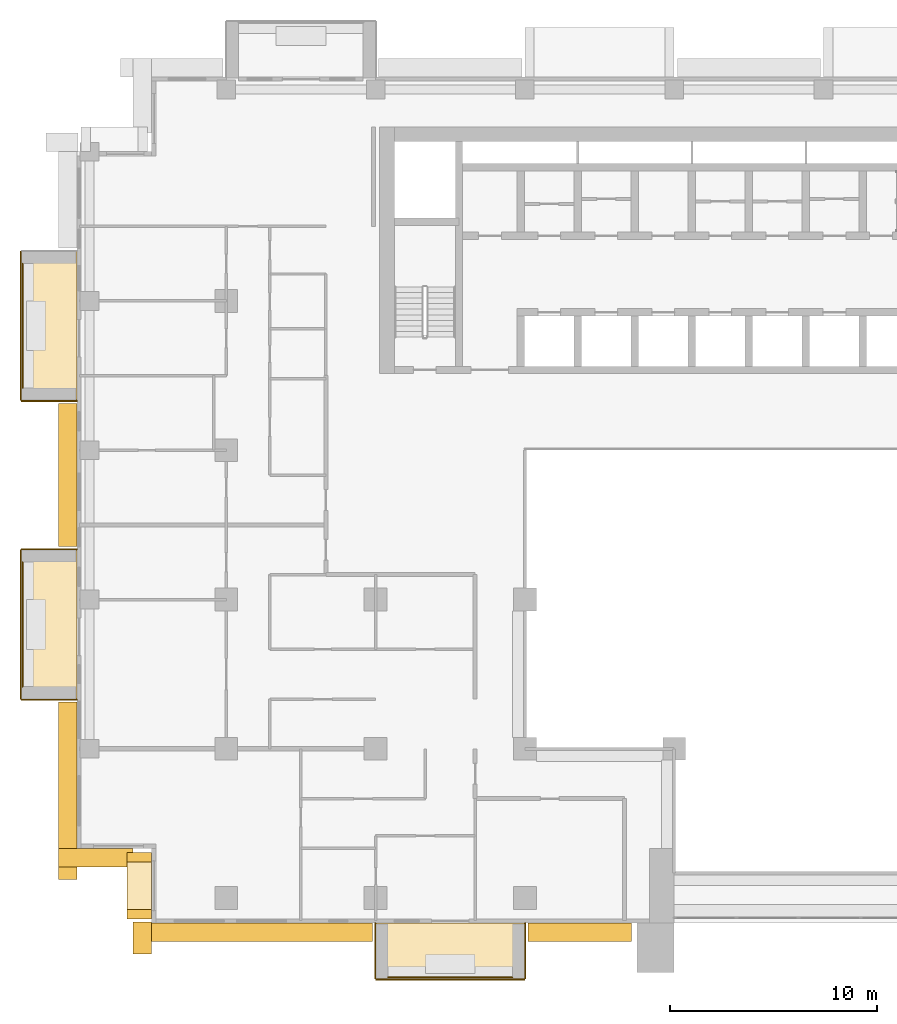
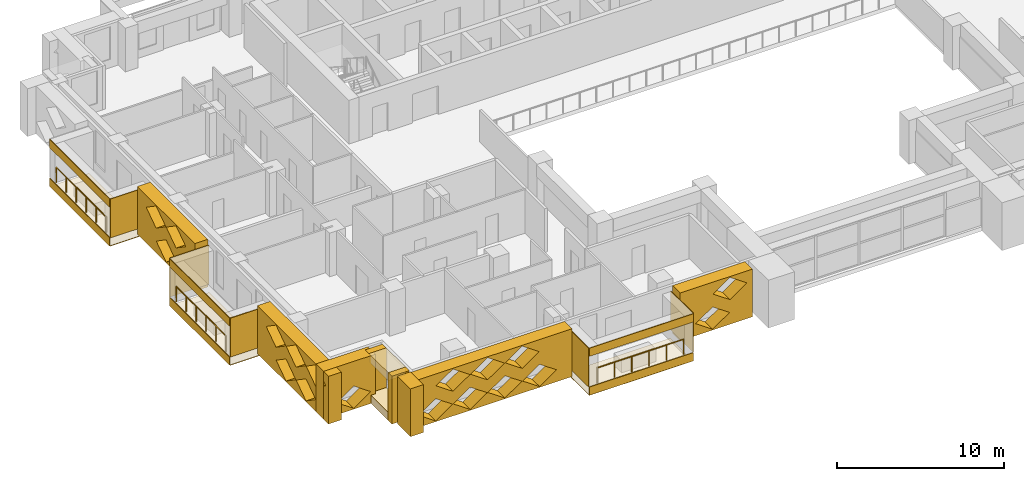
# One storey, part 14 of 20: 24 coverings, 3 railings.
"""IFC4 building model written with IfcOpenShell, lengths in metres."""

from ifc_helpers import new_model, si_unit, direction, frame, origin, origin_2d, place, context, subcontext, project, spatial, polyline, circle, outline, extrude, material, layer, layer_set, type_object, element, save


model = new_model("IFC4")

# Units and contexts
model_context = context("Model", 3, precision=1e-05, world=origin(), true_north=direction((0.0, 1.0)))
body_context = subcontext(model_context, "Body", "Model", "MODEL_VIEW")
ifc_project = project(units=[si_unit("LENGTHUNIT", "METRE"), si_unit("AREAUNIT", "SQUARE_METRE"), si_unit("VOLUMEUNIT", "CUBIC_METRE"), si_unit("PLANEANGLEUNIT", "RADIAN"), si_unit("MASSUNIT", "GRAM", prefix="KILO")], contexts=[model_context])

# Site, building, storey
site_placement = place(None, origin())
site = spatial("IfcSite", under=ifc_project, at=site_placement, CompositionType="ELEMENT")
building_placement = place(site_placement, origin())
building = spatial("IfcBuilding", under=site, at=building_placement, Name="Saffron Iwan Residences", CompositionType="ELEMENT")
storey_placement = place(building_placement, frame((0.0, 0.0, 127.0)))
storey = spatial("IfcBuildingStorey", under=building, at=storey_placement, Name="L33", CompositionType="ELEMENT", Elevation=127.0)

# Railings
ifc_material_1 = material(Name="Stainless steel 316", Category="steel")
railing_type = type_object("IfcRailingType", Name="BALCONY GUARD 1150", PredefinedType="GUARDRAIL", material=ifc_material_1)
for number, where, name in (
    (1, (11.77490234375, 71.39990234375, 0.0), "Balcony guard L33 F8-0"),
    (2, (11.77490234375, 57.0, 0.0), "Balcony guard L33 F8-1"),
):
    element("IfcRailing", number, at=place(storey_placement, frame(where)), inside=storey, type_object=railing_type, Name=name, PredefinedType="GUARDRAIL", context=body_context, shape_type="SweptSolid", body=[
        extrude(circle(Radius=0.02392578125, at=origin_2d()), frame((0.0, 0.0, 1.1259765625), z_axis=(0.0, -1.0, 0.0), x_axis=(1.0, 0.0, 0.0)), (0.0, 0.0, 1.0), 6.0),
        extrude(circle(Radius=0.02099609375, at=origin_2d()), origin(), (0.0, 0.0, 1.0), 1.101806640625),
        extrude(circle(Radius=0.02099609375, at=origin_2d()), frame((0.0, -1.199951171875, 0.0)), (0.0, 0.0, 1.0), 1.101806640625),
        extrude(circle(Radius=0.02099609375, at=origin_2d()), frame((0.0, -2.39990234375, 0.0)), (0.0, 0.0, 1.0), 1.101806640625),
        extrude(circle(Radius=0.02099609375, at=origin_2d()), frame((0.0, -3.60009765625, 0.0)), (0.0, 0.0, 1.0), 1.101806640625),
        extrude(circle(Radius=0.02099609375, at=origin_2d()), frame((0.0, -4.800048828125, 0.0)), (0.0, 0.0, 1.0), 1.101806640625),
        extrude(circle(Radius=0.02099609375, at=origin_2d()), frame((0.0, -6.0, 0.0)), (0.0, 0.0, 1.0), 1.101806640625),
    ])
railing_placement = place(storey_placement, frame((29.39990234375, 36.97509765625, 0.0)))
element("IfcRailing", 3, at=railing_placement, inside=storey, type_object=railing_type, Name="Balcony guard L33 11-0", PredefinedType="GUARDRAIL", context=body_context, shape_type="SweptSolid", body=[
    extrude(circle(Radius=0.02392578125, at=origin_2d()), frame((0.0, 0.0, 1.1259765625), z_axis=(1.0, 0.0, 0.0), x_axis=(0.0, 1.0, 0.0)), (0.0, 0.0, 1.0), 6.0),
    extrude(circle(Radius=0.02099609375, at=origin_2d()), origin(), (0.0, 0.0, 1.0), 1.101806640625),
    extrude(circle(Radius=0.02099609375, at=origin_2d()), frame((1.199951171875, 0.0, 0.0)), (0.0, 0.0, 1.0), 1.101806640625),
    extrude(circle(Radius=0.02099609375, at=origin_2d()), frame((2.39990234375, 0.0, 0.0)), (0.0, 0.0, 1.0), 1.101806640625),
    extrude(circle(Radius=0.02099609375, at=origin_2d()), frame((3.60009765625, 0.0, 0.0)), (0.0, 0.0, 1.0), 1.101806640625),
    extrude(circle(Radius=0.02099609375, at=origin_2d()), frame((4.800048828125, 0.0, 0.0)), (0.0, 0.0, 1.0), 1.101806640625),
    extrude(circle(Radius=0.02099609375, at=origin_2d()), frame((6.0, 0.0, 0.0)), (0.0, 0.0, 1.0), 1.101806640625),
])

# Coverings
ifc_material_2 = material(Name="Precast concrete C40/50 white painted", Category="concrete")
ifc_layer = layer(ifc_material_2, 0.050048828125)
ifc_layer_set = layer_set([ifc_layer], Name="Precast concrete C40/50 white painted")
covering_type_1 = type_object("IfcCoveringType", Name="FRAME SKIN PRECAST WHITE 50", PredefinedType="CLADDING", material=ifc_layer_set)
for number, where, name in (
    (4, (0.0, 0.0, -0.60009765625), "Frame skin slab edge L33 F8-0"),
    (5, (0.0, 0.0, 2.25), "Frame skin fascia L33 F8-0"),
):
    element("IfcCovering", number, at=place(storey_placement, frame(where)), inside=storey, type_object=covering_type_1, Name=name, PredefinedType="CLADDING", context=body_context, shape_type="SweptSolid", body=[
        extrude(outline(polyline([(11.64990234375, 72.0), (11.64990234375, 64.800048828125), (11.699951171875, 64.800048828125), (11.699951171875, 72.0), (11.64990234375, 72.0)])), origin(), (0.0, 0.0, 1.0), 0.60009765625),
    ])
covering_1_placement = place(storey_placement, frame((0.0, 0.0, -0.64990234375)))
element("IfcCovering", 6, at=covering_1_placement, inside=storey, type_object=covering_type_1, Name="Frame skin soffit L33 F8-0", PredefinedType="CLADDING", context=body_context, shape_type="SweptSolid", body=[
    extrude(outline(polyline([(11.699951171875, 72.0), (11.699951171875, 64.800048828125), (14.39990234375, 64.800048828125), (14.39990234375, 72.0), (11.699951171875, 72.0)])), origin(), (0.0, 0.0, 1.0), 0.0498046875),
])
covering_2_placement = place(storey_placement, origin())
element("IfcCovering", 7, at=covering_2_placement, inside=storey, type_object=covering_type_1, Name="Frame skin fin L33 F8-0b", PredefinedType="CLADDING", context=body_context, shape_type="SweptSolid", body=[
    extrude(outline(polyline([(11.699951171875, 64.800048828125), (11.699951171875, 64.75), (14.39990234375, 64.75), (14.39990234375, 64.800048828125), (11.699951171875, 64.800048828125)])), origin(), (0.0, 0.0, 1.0), 2.85009765625),
])
for number, where, name in (
    (8, (0.0, 0.0, -0.60009765625), "Frame skin slab edge L33 F8-1"),
    (9, (0.0, 0.0, 2.25), "Frame skin fascia L33 F8-1"),
):
    element("IfcCovering", number, at=place(storey_placement, frame(where)), inside=storey, type_object=covering_type_1, Name=name, PredefinedType="CLADDING", context=body_context, shape_type="SweptSolid", body=[
        extrude(outline(polyline([(11.64990234375, 57.60009765625), (11.64990234375, 50.39990234375), (11.699951171875, 50.39990234375), (11.699951171875, 57.60009765625), (11.64990234375, 57.60009765625)])), origin(), (0.0, 0.0, 1.0), 0.60009765625),
    ])
covering_3_placement = place(storey_placement, frame((0.0, 0.0, -0.64990234375)))
element("IfcCovering", 10, at=covering_3_placement, inside=storey, type_object=covering_type_1, Name="Frame skin soffit L33 F8-1", PredefinedType="CLADDING", context=body_context, shape_type="SweptSolid", body=[
    extrude(outline(polyline([(11.699951171875, 57.60009765625), (11.699951171875, 50.39990234375), (14.39990234375, 50.39990234375), (14.39990234375, 57.60009765625), (11.699951171875, 57.60009765625)])), origin(), (0.0, 0.0, 1.0), 0.0498046875),
])
covering_4_placement = place(storey_placement, origin())
element("IfcCovering", 11, at=covering_4_placement, inside=storey, type_object=covering_type_1, Name="Frame skin fin L33 F8-1a", PredefinedType="CLADDING", context=body_context, shape_type="SweptSolid", body=[
    extrude(outline(polyline([(11.699951171875, 57.64990234375), (11.699951171875, 57.60009765625), (14.39990234375, 57.60009765625), (14.39990234375, 57.64990234375), (11.699951171875, 57.64990234375)])), origin(), (0.0, 0.0, 1.0), 2.85009765625),
])
covering_5_placement = place(storey_placement, origin())
element("IfcCovering", 12, at=covering_5_placement, inside=storey, type_object=covering_type_1, Name="Frame skin fin L33 F8-1b", PredefinedType="CLADDING", context=body_context, shape_type="SweptSolid", body=[
    extrude(outline(polyline([(11.699951171875, 50.39990234375), (11.699951171875, 50.35009765625), (14.39990234375, 50.35009765625), (14.39990234375, 50.39990234375), (11.699951171875, 50.39990234375)])), origin(), (0.0, 0.0, 1.0), 2.85009765625),
])
for number, where, name in (
    (13, (0.0, 0.0, -0.60009765625), "Frame skin slab edge L33 11-0"),
    (14, (0.0, 0.0, 2.25), "Frame skin fascia L33 11-0"),
):
    element("IfcCovering", number, at=place(storey_placement, frame(where)), inside=storey, type_object=covering_type_1, Name=name, PredefinedType="CLADDING", context=body_context, shape_type="SweptSolid", body=[
        extrude(outline(polyline([(28.800048828125, 36.85009765625), (36.0, 36.85009765625), (36.0, 36.89990234375), (28.800048828125, 36.89990234375), (28.800048828125, 36.85009765625)])), origin(), (0.0, 0.0, 1.0), 0.60009765625),
    ])
covering_6_placement = place(storey_placement, frame((0.0, 0.0, -0.64990234375)))
element("IfcCovering", 15, at=covering_6_placement, inside=storey, type_object=covering_type_1, Name="Frame skin soffit L33 11-0", PredefinedType="CLADDING", context=body_context, shape_type="SweptSolid", body=[
    extrude(outline(polyline([(28.800048828125, 36.89990234375), (36.0, 36.89990234375), (36.0, 39.60009765625), (28.800048828125, 39.60009765625), (28.800048828125, 36.89990234375)])), origin(), (0.0, 0.0, 1.0), 0.0498046875),
])
covering_7_placement = place(storey_placement, origin())
element("IfcCovering", 16, at=covering_7_placement, inside=storey, type_object=covering_type_1, Name="Frame skin fin L33 11-0a", PredefinedType="CLADDING", context=body_context, shape_type="SweptSolid", body=[
    extrude(outline(polyline([(28.75, 36.89990234375), (28.800048828125, 36.89990234375), (28.800048828125, 39.60009765625), (28.75, 39.60009765625), (28.75, 36.89990234375)])), origin(), (0.0, 0.0, 1.0), 2.85009765625),
])
covering_8_placement = place(storey_placement, origin())
element("IfcCovering", 17, at=covering_8_placement, inside=storey, type_object=covering_type_1, Name="Frame skin fin L33 11-0b", PredefinedType="CLADDING", context=body_context, shape_type="SweptSolid", body=[
    extrude(outline(polyline([(36.0, 36.89990234375), (36.050048828125, 36.89990234375), (36.050048828125, 39.60009765625), (36.0, 39.60009765625), (36.0, 36.89990234375)])), origin(), (0.0, 0.0, 1.0), 2.85009765625),
])
ifc_material_3 = material(Name="Precast concrete C40/50", Category="concrete")
covering_type_2 = type_object("IfcCoveringType", Name="OUTER SKIN LATTICE SCREEN", PredefinedType="CLADDING", material=ifc_material_3)
covering_9_placement = place(storey_placement, frame((14.39990234375, 64.64990234375, -0.300048828125), z_axis=(-1.0, 0.0, 0.0), x_axis=(0.0, -1.0, 0.0)))
element("IfcCovering", 18, at=covering_9_placement, inside=storey, type_object=covering_type_2, Name="OUTER SKIN lattice screen L33 F8.1", PredefinedType="CLADDING", context=body_context, shape_type="SweptSolid", body=[
    extrude(outline(polyline([(0.0, 0.0), (6.89990234375, 0.0), (6.89990234375, 3.5), (0.0, 3.5), (0.0, 0.0)]), holes=[polyline([(2.27001953125, 0.875), (3.449951171875, 0.06005859375), (4.6298828125, 0.875), (3.449951171875, 1.68994140625), (2.27001953125, 0.875)]), polyline([(1.070068359375, 2.625), (2.25, 1.81005859375), (3.429931640625, 2.625), (2.25, 3.43994140625), (1.070068359375, 2.625)]), polyline([(3.469970703125, 2.625), (4.64990234375, 1.81005859375), (5.830078125, 2.625), (4.64990234375, 3.43994140625), (3.469970703125, 2.625)])]), origin(), (0.0, 0.0, 1.0), 0.89990234375),
])
covering_10_placement = place(storey_placement, frame((14.39990234375, 50.25, -0.300048828125), z_axis=(-1.0, 0.0, 0.0), x_axis=(0.0, -1.0, 0.0)))
element("IfcCovering", 19, at=covering_10_placement, inside=storey, type_object=covering_type_2, Name="OUTER SKIN lattice screen L33 F8.2", PredefinedType="CLADDING", context=body_context, shape_type="SweptSolid", body=[
    extrude(outline(polyline([(0.0, 0.0), (8.550048828125, 0.0), (8.550048828125, 3.5), (0.0, 3.5), (0.0, 0.0)]), holes=[polyline([(2.27001953125, 0.875), (3.449951171875, 0.06005859375), (4.6298828125, 0.875), (3.449951171875, 1.68994140625), (2.27001953125, 0.875)]), polyline([(4.669921875, 0.875), (5.85009765625, 0.06005859375), (7.030029296875, 0.875), (5.85009765625, 1.68994140625), (4.669921875, 0.875)]), polyline([(1.070068359375, 2.625), (2.25, 1.81005859375), (3.429931640625, 2.625), (2.25, 3.43994140625), (1.070068359375, 2.625)]), polyline([(3.469970703125, 2.625), (4.64990234375, 1.81005859375), (5.830078125, 2.625), (4.64990234375, 3.43994140625), (3.469970703125, 2.625)]), polyline([(5.8701171875, 2.625), (7.050048828125, 1.81005859375), (8.22998046875, 2.625), (7.050048828125, 3.43994140625), (5.8701171875, 2.625)])]), origin(), (0.0, 0.0, 1.0), 0.89990234375),
])
covering_11_placement = place(storey_placement, frame((13.5, 43.199951171875, -0.300048828125), z_axis=(0.0, -1.0, 0.0), x_axis=(1.0, 0.0, 0.0)))
element("IfcCovering", 20, at=covering_11_placement, inside=storey, type_object=covering_type_2, Name="OUTER SKIN lattice screen L33 F9.0", PredefinedType="CLADDING", context=body_context, shape_type="SweptSolid", body=[
    extrude(outline(polyline([(0.0, 0.0), (3.60009765625, 0.0), (3.60009765625, 3.5), (0.0, 3.5), (0.0, 0.0)]), holes=[polyline([(0.919921875, 0.875), (2.10009765625, 0.06005859375), (3.280029296875, 0.875), (2.10009765625, 1.68994140625), (0.919921875, 0.875)])]), origin(), (0.0, 0.0, 1.0), 0.89990234375),
])
covering_12_placement = place(storey_placement, frame((18.0, 39.64990234375, -0.300048828125), z_axis=(-1.0, 0.0, 0.0), x_axis=(0.0, -1.0, 0.0)))
element("IfcCovering", 21, at=covering_12_placement, inside=storey, type_object=covering_type_2, Name="OUTER SKIN lattice screen L33 F10.0", PredefinedType="CLADDING", context=body_context, shape_type="SweptSolid", body=[
    extrude(outline(polyline([(0.0, 0.0), (1.550048828125, 0.0), (1.550048828125, 3.5), (0.0, 3.5), (0.0, 0.0)])), origin(), (0.0, 0.0, 1.0), 0.89990234375),
])
covering_13_placement = place(storey_placement, frame((17.10009765625, 39.60009765625, -0.300048828125), z_axis=(0.0, -1.0, 0.0), x_axis=(1.0, 0.0, 0.0)))
element("IfcCovering", 22, at=covering_13_placement, inside=storey, type_object=covering_type_2, Name="OUTER SKIN lattice screen L33 F11.0", PredefinedType="CLADDING", context=body_context, shape_type="SweptSolid", body=[
    extrude(outline(polyline([(0.0, 0.0), (11.550048828125, 0.0), (11.550048828125, 3.5), (0.0, 3.5), (0.0, 0.0)]), holes=[polyline([(0.919921875, 0.875), (2.10009765625, 0.06005859375), (3.280029296875, 0.875), (2.10009765625, 1.68994140625), (0.919921875, 0.875)]), polyline([(3.320068359375, 0.875), (4.5, 0.06005859375), (5.679931640625, 0.875), (4.5, 1.68994140625), (3.320068359375, 0.875)]), polyline([(5.719970703125, 0.875), (6.89990234375, 0.06005859375), (8.080078125, 0.875), (6.89990234375, 1.68994140625), (5.719970703125, 0.875)]), polyline([(8.1201171875, 0.875), (9.300048828125, 0.06005859375), (10.47998046875, 0.875), (9.300048828125, 1.68994140625), (8.1201171875, 0.875)]), polyline([(2.1201171875, 2.625), (3.300048828125, 1.81005859375), (4.47998046875, 2.625), (3.300048828125, 3.43994140625), (2.1201171875, 2.625)]), polyline([(4.52001953125, 2.625), (5.699951171875, 1.81005859375), (6.8798828125, 2.625), (5.699951171875, 3.43994140625), (4.52001953125, 2.625)]), polyline([(6.919921875, 2.625), (8.10009765625, 1.81005859375), (9.280029296875, 2.625), (8.10009765625, 3.43994140625), (6.919921875, 2.625)])]), origin(), (0.0, 0.0, 1.0), 0.900146484375),
])
covering_14_placement = place(storey_placement, frame((36.14990234375, 39.60009765625, -0.300048828125), z_axis=(0.0, -1.0, 0.0), x_axis=(1.0, 0.0, 0.0)))
element("IfcCovering", 23, at=covering_14_placement, inside=storey, type_object=covering_type_2, Name="OUTER SKIN lattice screen L33 F11.1", PredefinedType="CLADDING", context=body_context, shape_type="SweptSolid", body=[
    extrude(outline(polyline([(0.0, 0.0), (5.0, 0.0), (5.0, 3.5), (0.0, 3.5), (0.0, 0.0)]), holes=[polyline([(1.070068359375, 0.875), (2.25, 0.06005859375), (3.429931640625, 0.875), (2.25, 1.68994140625), (1.070068359375, 0.875)]), polyline([(2.27001953125, 2.625), (3.449951171875, 1.81005859375), (4.6298828125, 2.625), (3.449951171875, 3.43994140625), (2.27001953125, 2.625)])]), origin(), (0.0, 0.0, 1.0), 0.900146484375),
])
covering_type_3 = type_object("IfcCoveringType", Name="WHITE SUN FRAME PRECAST", PredefinedType="CLADDING", material=ifc_material_2)
for number, where, z_axis, x_axis, name in (
    (24, (18.0, 43.0, -0.300048828125), (-1.0, 0.0, 0.0), (0.0, -1.0, 0.0), "Sun frame L33 F10 0.2a"),
    (25, (18.0, 40.25, -0.300048828125), (-1.0, 0.0, 0.0), (0.0, -1.0, 0.0), "Sun frame L33 F10 0.2b"),
):
    element("IfcCovering", number, at=place(storey_placement, frame(where, z_axis=z_axis, x_axis=x_axis)), inside=storey, type_object=covering_type_3, Name=name, PredefinedType="CLADDING", context=body_context, shape_type="SweptSolid", body=[
        extrude(outline(polyline([(0.0, 0.0), (0.449951171875, 0.0), (0.449951171875, 3.5), (0.0, 3.5), (0.0, 0.0)])), origin(), (0.0, 0.0, 1.0), 1.199951171875),
    ])
for number, where, z_axis, x_axis, name in (
    (26, (18.0, 42.550048828125, 2.60009765625), (-1.0, 0.0, 0.0), (0.0, -1.0, 0.0), "Sun frame L33 F10 0.2h"),
    (27, (18.0, 42.550048828125, -0.300048828125), (-1.0, 0.0, 0.0), (0.0, -1.0, 0.0), "Sun frame L33 F10 0.2s"),
):
    element("IfcCovering", number, at=place(storey_placement, frame(where, z_axis=z_axis, x_axis=x_axis)), inside=storey, type_object=covering_type_3, Name=name, PredefinedType="CLADDING", context=body_context, shape_type="SweptSolid", body=[
        extrude(outline(polyline([(0.0, 0.0), (2.300048828125, 0.0), (2.300048828125, 0.60009765625), (0.0, 0.60009765625), (0.0, 0.0)])), origin(), (0.0, 0.0, 1.0), 1.199951171875),
    ])

save(model, "model.ifc")
